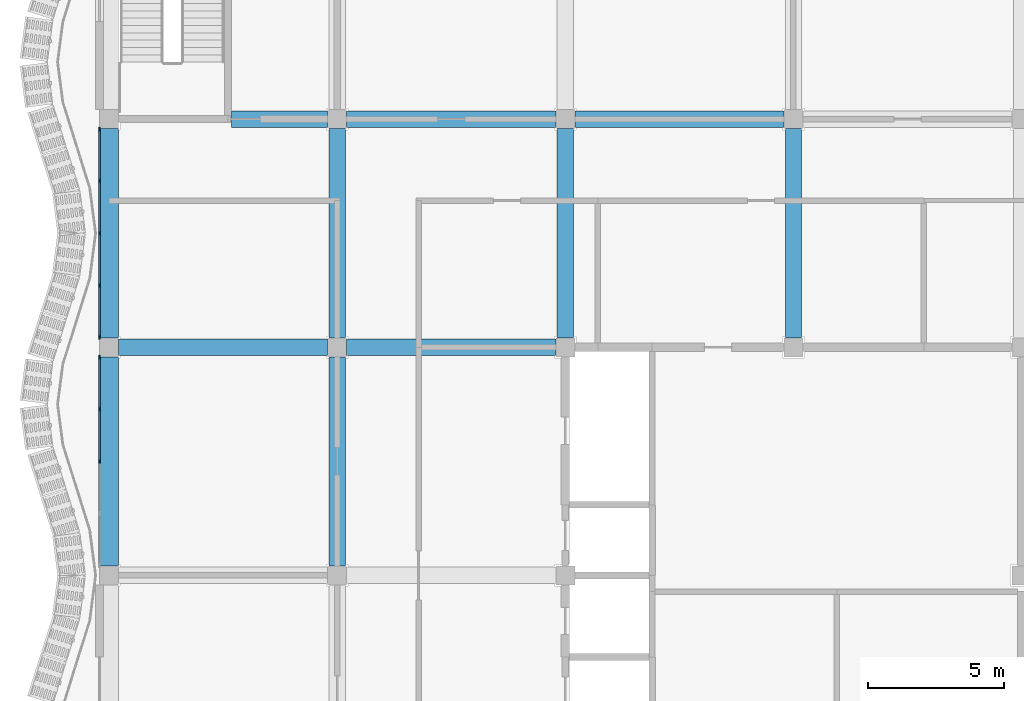
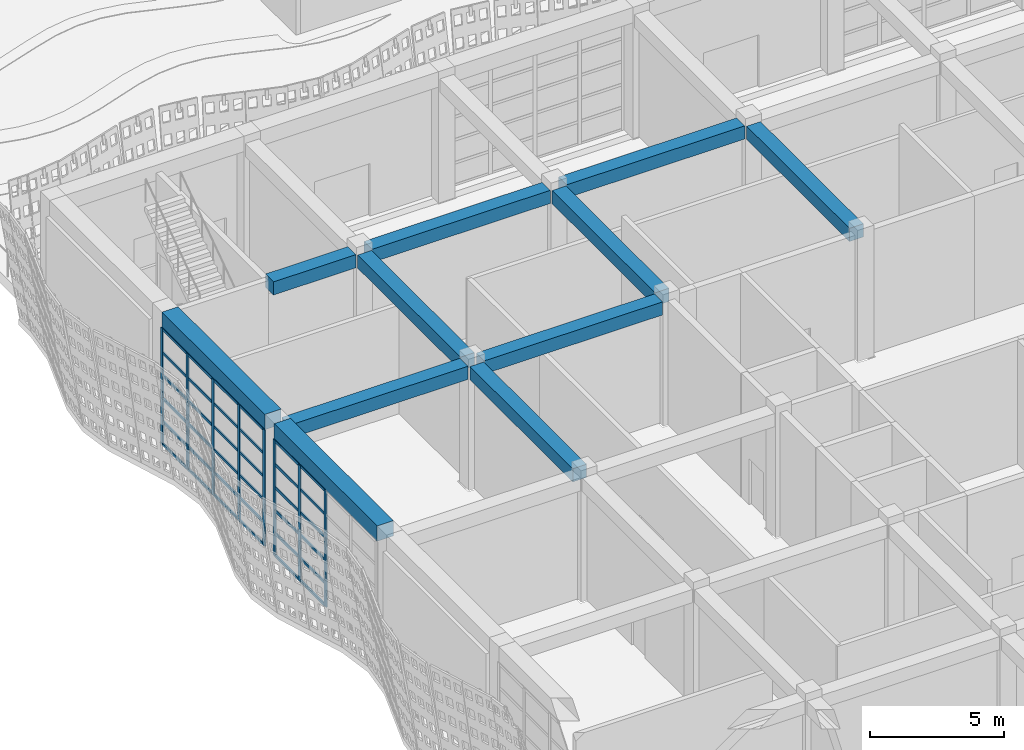
# One storey, part 25 of 210: 44 members, 11 beams, 2 elements without a shape of their own.
"""IFC4 building model written with IfcOpenShell, lengths in metres."""

from ifc_helpers import new_model, si_unit, direction, frame, origin, origin_2d, place, context, subcontext, project, spatial, rectangle, extrude, material, material_profile, profile_set, type_object, element, aggregate, save


model = new_model("IFC4")

# Units and contexts
model_context = context("Model", 3, precision=1e-05, world=origin(), true_north=direction((0.0, 1.0)))
body_context = subcontext(model_context, "Body", "Model", "MODEL_VIEW")
ifc_project = project(units=[si_unit("LENGTHUNIT", "METRE"), si_unit("AREAUNIT", "SQUARE_METRE"), si_unit("VOLUMEUNIT", "CUBIC_METRE"), si_unit("PLANEANGLEUNIT", "RADIAN"), si_unit("MASSUNIT", "GRAM", prefix="KILO")], contexts=[model_context])

# Site, building, storey
site_placement = place(None, origin())
site = spatial("IfcSite", under=ifc_project, at=site_placement, CompositionType="ELEMENT")
building_placement = place(site_placement, origin())
building = spatial("IfcBuilding", under=site, at=building_placement, Name="Rain Tree Exposition and Congress Centre", CompositionType="ELEMENT")
storey_placement = place(building_placement, origin())
storey = spatial("IfcBuildingStorey", under=building, at=storey_placement, Name="L00", CompositionType="ELEMENT", Elevation=0.0)

# Beams
ifc_material_1 = material(Name="Precast concrete C50/60", Category="concrete")
ifc_material_profile_1 = material_profile(ifc_material_1, rectangle(XDim=0.60009765625, YDim=0.60009765625, at=origin_2d()), Name="RC 600x600")
ifc_profile_set_1 = profile_set([ifc_material_profile_1], Name="Precast concrete C50/60")
beam_type_1 = type_object("IfcBeamType", Name="Precast beam 600x600", PredefinedType="BEAM", material=ifc_profile_set_1)
for number, where, z_axis, x_axis, name in (
    (1, (8.39990234375, 25.550048828125, 5.35009765625), (0.0, 1.0, 0.0), (-1.0, 0.0, 0.0), "wing/beam/L00/L01/020"),
    (2, (8.39990234375, 33.949951171875, 5.35009765625), (0.0, 1.0, 0.0), (-1.0, 0.0, 0.0), "wing/beam/L00/L01/022"),
    (3, (16.800048828125, 33.949951171875, 5.35009765625), (0.0, 1.0, 0.0), (-1.0, 0.0, 0.0), "wing/beam/L00/L01/030"),
    (4, (25.199951171875, 33.949951171875, 5.35009765625), (0.0, 1.0, 0.0), (-1.0, 0.0, 0.0), "wing/beam/L00/L01/038"),
    (5, (0.35009765625, 33.60009765625, 5.35009765625), (1.0, 0.0, 0.0), (0.0, 1.0, 0.0), "wing/beam/L00/L01/041"),
    (6, (8.75, 33.60009765625, 5.35009765625), (1.0, 0.0, 0.0), (0.0, 1.0, 0.0), "wing/beam/L00/L01/043"),
):
    element("IfcBeam", number, at=place(storey_placement, frame(where, z_axis=z_axis, x_axis=x_axis)), inside=storey, type_object=beam_type_1, Name=name, PredefinedType="BEAM", context=body_context, shape_type="SweptSolid", body=[
        extrude(rectangle(XDim=0.60009765625, YDim=0.60009765625, at=origin_2d()), origin(), (0.0, 0.0, 1.0), 7.699951171875),
    ])
beam_1_placement = place(storey_placement, frame((4.5, 42.0, 5.35009765625), z_axis=(1.0, 0.0, 0.0), x_axis=(0.0, 1.0, 0.0)))
element("IfcBeam", 7, at=beam_1_placement, inside=storey, type_object=beam_type_1, Name="wing/beam/L00/L01/049", PredefinedType="BEAM", context=body_context, shape_type="SweptSolid", body=[
    extrude(rectangle(XDim=0.60009765625, YDim=0.60009765625, at=origin_2d()), origin(), (0.0, 0.0, 1.0), 3.550048828125),
])
beam_2_placement = place(storey_placement, frame((8.75, 42.0, 5.35009765625), z_axis=(1.0, 0.0, 0.0), x_axis=(0.0, 1.0, 0.0)))
element("IfcBeam", 8, at=beam_2_placement, inside=storey, type_object=beam_type_1, Name="wing/beam/L00/L01/051", PredefinedType="BEAM", context=body_context, shape_type="SweptSolid", body=[
    extrude(rectangle(XDim=0.60009765625, YDim=0.60009765625, at=origin_2d()), origin(), (0.0, 0.0, 1.0), 7.699951171875),
])
beam_3_placement = place(storey_placement, frame((17.14990234375, 42.0, 5.35009765625), z_axis=(1.0, 0.0, 0.0), x_axis=(0.0, 1.0, 0.0)))
element("IfcBeam", 9, at=beam_3_placement, inside=storey, type_object=beam_type_1, Name="wing/beam/L00/L01/053", PredefinedType="BEAM", context=body_context, shape_type="SweptSolid", body=[
    extrude(rectangle(XDim=0.60009765625, YDim=0.60009765625, at=origin_2d()), origin(), (0.0, 0.0, 1.0), 7.7001953125),
])
ifc_material_2 = material(Name="Precast concrete C50/60", Category="concrete")
ifc_material_profile_2 = material_profile(ifc_material_2, rectangle(XDim=0.699951171875, YDim=0.699951171875, at=origin_2d()), Name="RC 700x700")
ifc_profile_set_2 = profile_set([ifc_material_profile_2], Name="Precast concrete C50/60")
beam_type_2 = type_object("IfcBeamType", Name="Precast spandrel beam 700x700", PredefinedType="SPANDREL", material=ifc_profile_set_2)
for number, where, z_axis, x_axis, name in (
    (10, (0.0, 25.550048828125, 5.64990234375), (0.0, 1.0, 0.0), (-1.0, 0.0, 0.0), "wing/beam/L00/L01/008"),
    (11, (0.0, 33.949951171875, 5.64990234375), (0.0, 1.0, 0.0), (-1.0, 0.0, 0.0), "wing/beam/L00/L01/010"),
):
    element("IfcBeam", number, at=place(storey_placement, frame(where, z_axis=z_axis, x_axis=x_axis)), inside=storey, type_object=beam_type_2, Name=name, PredefinedType="SPANDREL", context=body_context, shape_type="SweptSolid", body=[
        extrude(rectangle(XDim=0.699951171875, YDim=0.699951171875, at=origin_2d()), origin(), (0.0, 0.0, 1.0), 7.699951171875),
    ])

# Curtain wall, members
ifc_material_3 = material(Name="Aluminium curtain wall", Category="aluminium")
curtain_wall_type = type_object("IfcCurtainWallType", Name="Wing curtain wall 1925", PredefinedType="NOTDEFINED", material=ifc_material_3)
curtain_wall_1_placement = place(storey_placement, origin())
curtain_wall_1 = element("IfcCurtainWall", 12, at=curtain_wall_1_placement, inside=storey, type_object=curtain_wall_type, Name="Curtain wall CWW107", PredefinedType="NOTDEFINED")
ifc_material_4 = material(Name="Aluminium", Category="aluminium")
ifc_material_profile_3 = material_profile(ifc_material_4, rectangle(XDim=0.06005859375, YDim=0.159912109375, at=origin_2d()), Name="Aluminium 60x160")
ifc_profile_set_3 = profile_set([ifc_material_profile_3], Name="Aluminium")
member_type_1 = type_object("IfcMemberType", Name="Wing mullion 60x160", PredefinedType="MULLION", material=ifc_profile_set_3)
member_1_placement = place(storey_placement, frame((-0.35009765625, 29.39990234375, 0.0), z_axis=(0.0, 0.0, 1.0), x_axis=(-1.0, 0.0, 0.0)))
member_1 = element("IfcMember", 13, at=member_1_placement, type_object=member_type_1, Name="CWW107 mullion 3", PredefinedType="MULLION", context=body_context, shape_type="SweptSolid", body=[
    extrude(rectangle(XDim=0.06005859375, YDim=0.159912109375, at=origin_2d()), origin(), (0.0, 0.0, 1.0), 5.300048828125),
])
member_2_placement = place(storey_placement, frame((-0.35009765625, 31.324951171875, 0.0), z_axis=(0.0, 0.0, 1.0), x_axis=(-1.0, 0.0, 0.0)))
member_2 = element("IfcMember", 14, at=member_2_placement, type_object=member_type_1, Name="CWW107 mullion 4", PredefinedType="MULLION", context=body_context, shape_type="SweptSolid", body=[
    extrude(rectangle(XDim=0.06005859375, YDim=0.159912109375, at=origin_2d()), origin(), (0.0, 0.0, 1.0), 5.300048828125),
])
member_3_placement = place(storey_placement, frame((-0.35009765625, 33.219970703125, 0.0), z_axis=(0.0, 0.0, 1.0), x_axis=(-1.0, 0.0, 0.0)))
member_3 = element("IfcMember", 15, at=member_3_placement, type_object=member_type_1, Name="CWW107 mullion 5", PredefinedType="MULLION", context=body_context, shape_type="SweptSolid", body=[
    extrude(rectangle(XDim=0.06005859375, YDim=0.159912109375, at=origin_2d()), origin(), (0.0, 0.0, 1.0), 5.300048828125),
])

curtain_wall_2_placement = place(storey_placement, origin())
curtain_wall_2 = element("IfcCurtainWall", 16, at=curtain_wall_2_placement, inside=storey, type_object=curtain_wall_type, Name="Curtain wall CWW108", PredefinedType="NOTDEFINED")
member_4_placement = place(storey_placement, frame((-0.35009765625, 33.97998046875, 0.0), z_axis=(0.0, 0.0, 1.0), x_axis=(-1.0, 0.0, 0.0)))
member_4 = element("IfcMember", 17, at=member_4_placement, type_object=member_type_1, Name="CWW108 mullion 1", PredefinedType="MULLION", context=body_context, shape_type="SweptSolid", body=[
    extrude(rectangle(XDim=0.06005859375, YDim=0.159912109375, at=origin_2d()), origin(), (0.0, 0.0, 1.0), 5.300048828125),
])
member_5_placement = place(storey_placement, frame((-0.35009765625, 35.875, 0.0), z_axis=(0.0, 0.0, 1.0), x_axis=(-1.0, 0.0, 0.0)))
member_5 = element("IfcMember", 18, at=member_5_placement, type_object=member_type_1, Name="CWW108 mullion 2", PredefinedType="MULLION", context=body_context, shape_type="SweptSolid", body=[
    extrude(rectangle(XDim=0.06005859375, YDim=0.159912109375, at=origin_2d()), origin(), (0.0, 0.0, 1.0), 5.300048828125),
])
member_6_placement = place(storey_placement, frame((-0.35009765625, 37.800048828125, 0.0), z_axis=(0.0, 0.0, 1.0), x_axis=(-1.0, 0.0, 0.0)))
member_6 = element("IfcMember", 19, at=member_6_placement, type_object=member_type_1, Name="CWW108 mullion 3", PredefinedType="MULLION", context=body_context, shape_type="SweptSolid", body=[
    extrude(rectangle(XDim=0.06005859375, YDim=0.159912109375, at=origin_2d()), origin(), (0.0, 0.0, 1.0), 5.300048828125),
])
member_7_placement = place(storey_placement, frame((-0.35009765625, 39.72509765625, 0.0), z_axis=(0.0, 0.0, 1.0), x_axis=(-1.0, 0.0, 0.0)))
member_7 = element("IfcMember", 20, at=member_7_placement, type_object=member_type_1, Name="CWW108 mullion 4", PredefinedType="MULLION", context=body_context, shape_type="SweptSolid", body=[
    extrude(rectangle(XDim=0.06005859375, YDim=0.159912109375, at=origin_2d()), origin(), (0.0, 0.0, 1.0), 5.300048828125),
])
member_8_placement = place(storey_placement, frame((-0.35009765625, 41.6201171875, 0.0), z_axis=(0.0, 0.0, 1.0), x_axis=(-1.0, 0.0, 0.0)))
member_8 = element("IfcMember", 21, at=member_8_placement, type_object=member_type_1, Name="CWW108 mullion 5", PredefinedType="MULLION", context=body_context, shape_type="SweptSolid", body=[
    extrude(rectangle(XDim=0.06005859375, YDim=0.159912109375, at=origin_2d()), origin(), (0.0, 0.0, 1.0), 5.300048828125),
])

# Member
ifc_material_5 = material(Name="Aluminium", Category="aluminium")
ifc_material_profile_4 = material_profile(ifc_material_5, rectangle(XDim=0.06005859375, YDim=0.1201171875, at=origin_2d()), Name="Aluminium 60x120")
ifc_profile_set_4 = profile_set([ifc_material_profile_4], Name="Aluminium")
member_type_2 = type_object("IfcMemberType", Name="Wing transom 60x120", PredefinedType="USERDEFINED", material=ifc_profile_set_4)
member_9_placement = place(storey_placement, frame((-0.35009765625, 29.429931640625, 0.030029296875), z_axis=(0.0, 1.0, 0.0), x_axis=(-1.0, 0.0, 0.0)))
member_9 = element("IfcMember", 22, at=member_9_placement, type_object=member_type_2, Name="CWW107 transom 3.1", ObjectType="TRANSOM", PredefinedType="USERDEFINED", context=body_context, shape_type="SweptSolid", body=[
    extrude(rectangle(XDim=0.06005859375, YDim=0.1201171875, at=origin_2d()), origin(), (0.0, 0.0, 1.0), 1.864990234375),
])

member_10_placement = place(storey_placement, frame((-0.35009765625, 29.429931640625, 1.050048828125), z_axis=(0.0, 1.0, 0.0), x_axis=(-1.0, 0.0, 0.0)))
member_10 = element("IfcMember", 23, at=member_10_placement, type_object=member_type_2, Name="CWW107 transom 3.2", ObjectType="TRANSOM", PredefinedType="USERDEFINED", context=body_context, shape_type="SweptSolid", body=[
    extrude(rectangle(XDim=0.06005859375, YDim=0.1201171875, at=origin_2d()), origin(), (0.0, 0.0, 1.0), 1.864990234375),
])

member_11_placement = place(storey_placement, frame((-0.35009765625, 29.429931640625, 2.10009765625), z_axis=(0.0, 1.0, 0.0), x_axis=(-1.0, 0.0, 0.0)))
member_11 = element("IfcMember", 24, at=member_11_placement, type_object=member_type_2, Name="CWW107 transom 3.3", ObjectType="TRANSOM", PredefinedType="USERDEFINED", context=body_context, shape_type="SweptSolid", body=[
    extrude(rectangle(XDim=0.06005859375, YDim=0.1201171875, at=origin_2d()), origin(), (0.0, 0.0, 1.0), 1.864990234375),
])

member_12_placement = place(storey_placement, frame((-0.35009765625, 29.429931640625, 3.14990234375), z_axis=(0.0, 1.0, 0.0), x_axis=(-1.0, 0.0, 0.0)))
member_12 = element("IfcMember", 25, at=member_12_placement, type_object=member_type_2, Name="CWW107 transom 3.4", ObjectType="TRANSOM", PredefinedType="USERDEFINED", context=body_context, shape_type="SweptSolid", body=[
    extrude(rectangle(XDim=0.06005859375, YDim=0.1201171875, at=origin_2d()), origin(), (0.0, 0.0, 1.0), 1.864990234375),
])

member_13_placement = place(storey_placement, frame((-0.35009765625, 29.429931640625, 4.199951171875), z_axis=(0.0, 1.0, 0.0), x_axis=(-1.0, 0.0, 0.0)))
member_13 = element("IfcMember", 26, at=member_13_placement, type_object=member_type_2, Name="CWW107 transom 3.5", ObjectType="TRANSOM", PredefinedType="USERDEFINED", context=body_context, shape_type="SweptSolid", body=[
    extrude(rectangle(XDim=0.06005859375, YDim=0.1201171875, at=origin_2d()), origin(), (0.0, 0.0, 1.0), 1.864990234375),
])

member_14_placement = place(storey_placement, frame((-0.35009765625, 29.429931640625, 5.27001953125), z_axis=(0.0, 1.0, 0.0), x_axis=(-1.0, 0.0, 0.0)))
member_14 = element("IfcMember", 27, at=member_14_placement, type_object=member_type_2, Name="CWW107 transom 3.6", ObjectType="TRANSOM", PredefinedType="USERDEFINED", context=body_context, shape_type="SweptSolid", body=[
    extrude(rectangle(XDim=0.06005859375, YDim=0.1201171875, at=origin_2d()), origin(), (0.0, 0.0, 1.0), 1.864990234375),
])

member_15_placement = place(storey_placement, frame((-0.35009765625, 31.35498046875, 0.030029296875), z_axis=(0.0, 1.0, 0.0), x_axis=(-1.0, 0.0, 0.0)))
member_15 = element("IfcMember", 28, at=member_15_placement, type_object=member_type_2, Name="CWW107 transom 4.1", ObjectType="TRANSOM", PredefinedType="USERDEFINED", context=body_context, shape_type="SweptSolid", body=[
    extrude(rectangle(XDim=0.06005859375, YDim=0.1201171875, at=origin_2d()), origin(), (0.0, 0.0, 1.0), 1.8349609375),
])

member_16_placement = place(storey_placement, frame((-0.35009765625, 31.35498046875, 1.050048828125), z_axis=(0.0, 1.0, 0.0), x_axis=(-1.0, 0.0, 0.0)))
member_16 = element("IfcMember", 29, at=member_16_placement, type_object=member_type_2, Name="CWW107 transom 4.2", ObjectType="TRANSOM", PredefinedType="USERDEFINED", context=body_context, shape_type="SweptSolid", body=[
    extrude(rectangle(XDim=0.06005859375, YDim=0.1201171875, at=origin_2d()), origin(), (0.0, 0.0, 1.0), 1.8349609375),
])

member_17_placement = place(storey_placement, frame((-0.35009765625, 31.35498046875, 2.10009765625), z_axis=(0.0, 1.0, 0.0), x_axis=(-1.0, 0.0, 0.0)))
member_17 = element("IfcMember", 30, at=member_17_placement, type_object=member_type_2, Name="CWW107 transom 4.3", ObjectType="TRANSOM", PredefinedType="USERDEFINED", context=body_context, shape_type="SweptSolid", body=[
    extrude(rectangle(XDim=0.06005859375, YDim=0.1201171875, at=origin_2d()), origin(), (0.0, 0.0, 1.0), 1.8349609375),
])

member_18_placement = place(storey_placement, frame((-0.35009765625, 31.35498046875, 3.14990234375), z_axis=(0.0, 1.0, 0.0), x_axis=(-1.0, 0.0, 0.0)))
member_18 = element("IfcMember", 31, at=member_18_placement, type_object=member_type_2, Name="CWW107 transom 4.4", ObjectType="TRANSOM", PredefinedType="USERDEFINED", context=body_context, shape_type="SweptSolid", body=[
    extrude(rectangle(XDim=0.06005859375, YDim=0.1201171875, at=origin_2d()), origin(), (0.0, 0.0, 1.0), 1.8349609375),
])

member_19_placement = place(storey_placement, frame((-0.35009765625, 31.35498046875, 4.199951171875), z_axis=(0.0, 1.0, 0.0), x_axis=(-1.0, 0.0, 0.0)))
member_19 = element("IfcMember", 32, at=member_19_placement, type_object=member_type_2, Name="CWW107 transom 4.5", ObjectType="TRANSOM", PredefinedType="USERDEFINED", context=body_context, shape_type="SweptSolid", body=[
    extrude(rectangle(XDim=0.06005859375, YDim=0.1201171875, at=origin_2d()), origin(), (0.0, 0.0, 1.0), 1.8349609375),
])

member_20_placement = place(storey_placement, frame((-0.35009765625, 31.35498046875, 5.27001953125), z_axis=(0.0, 1.0, 0.0), x_axis=(-1.0, 0.0, 0.0)))
member_20 = element("IfcMember", 33, at=member_20_placement, type_object=member_type_2, Name="CWW107 transom 4.6", ObjectType="TRANSOM", PredefinedType="USERDEFINED", context=body_context, shape_type="SweptSolid", body=[
    extrude(rectangle(XDim=0.06005859375, YDim=0.1201171875, at=origin_2d()), origin(), (0.0, 0.0, 1.0), 1.8349609375),
])

aggregate(curtain_wall_1, [member_1, member_2, member_3, member_9, member_10, member_11, member_12, member_13, member_14, member_15, member_16, member_17, member_18, member_19, member_20])

member_21_placement = place(storey_placement, frame((-0.35009765625, 34.010009765625, 0.030029296875), z_axis=(0.0, 1.0, 0.0), x_axis=(-1.0, 0.0, 0.0)))
member_21 = element("IfcMember", 34, at=member_21_placement, type_object=member_type_2, Name="CWW108 transom 1.1", ObjectType="TRANSOM", PredefinedType="USERDEFINED", context=body_context, shape_type="SweptSolid", body=[
    extrude(rectangle(XDim=0.06005859375, YDim=0.1201171875, at=origin_2d()), origin(), (0.0, 0.0, 1.0), 1.8349609375),
])

member_22_placement = place(storey_placement, frame((-0.35009765625, 34.010009765625, 1.050048828125), z_axis=(0.0, 1.0, 0.0), x_axis=(-1.0, 0.0, 0.0)))
member_22 = element("IfcMember", 35, at=member_22_placement, type_object=member_type_2, Name="CWW108 transom 1.2", ObjectType="TRANSOM", PredefinedType="USERDEFINED", context=body_context, shape_type="SweptSolid", body=[
    extrude(rectangle(XDim=0.06005859375, YDim=0.1201171875, at=origin_2d()), origin(), (0.0, 0.0, 1.0), 1.8349609375),
])

member_23_placement = place(storey_placement, frame((-0.35009765625, 34.010009765625, 2.10009765625), z_axis=(0.0, 1.0, 0.0), x_axis=(-1.0, 0.0, 0.0)))
member_23 = element("IfcMember", 36, at=member_23_placement, type_object=member_type_2, Name="CWW108 transom 1.3", ObjectType="TRANSOM", PredefinedType="USERDEFINED", context=body_context, shape_type="SweptSolid", body=[
    extrude(rectangle(XDim=0.06005859375, YDim=0.1201171875, at=origin_2d()), origin(), (0.0, 0.0, 1.0), 1.8349609375),
])

member_24_placement = place(storey_placement, frame((-0.35009765625, 34.010009765625, 3.14990234375), z_axis=(0.0, 1.0, 0.0), x_axis=(-1.0, 0.0, 0.0)))
member_24 = element("IfcMember", 37, at=member_24_placement, type_object=member_type_2, Name="CWW108 transom 1.4", ObjectType="TRANSOM", PredefinedType="USERDEFINED", context=body_context, shape_type="SweptSolid", body=[
    extrude(rectangle(XDim=0.06005859375, YDim=0.1201171875, at=origin_2d()), origin(), (0.0, 0.0, 1.0), 1.8349609375),
])

member_25_placement = place(storey_placement, frame((-0.35009765625, 34.010009765625, 4.199951171875), z_axis=(0.0, 1.0, 0.0), x_axis=(-1.0, 0.0, 0.0)))
member_25 = element("IfcMember", 38, at=member_25_placement, type_object=member_type_2, Name="CWW108 transom 1.5", ObjectType="TRANSOM", PredefinedType="USERDEFINED", context=body_context, shape_type="SweptSolid", body=[
    extrude(rectangle(XDim=0.06005859375, YDim=0.1201171875, at=origin_2d()), origin(), (0.0, 0.0, 1.0), 1.8349609375),
])

member_26_placement = place(storey_placement, frame((-0.35009765625, 34.010009765625, 5.27001953125), z_axis=(0.0, 1.0, 0.0), x_axis=(-1.0, 0.0, 0.0)))
member_26 = element("IfcMember", 39, at=member_26_placement, type_object=member_type_2, Name="CWW108 transom 1.6", ObjectType="TRANSOM", PredefinedType="USERDEFINED", context=body_context, shape_type="SweptSolid", body=[
    extrude(rectangle(XDim=0.06005859375, YDim=0.1201171875, at=origin_2d()), origin(), (0.0, 0.0, 1.0), 1.8349609375),
])

member_27_placement = place(storey_placement, frame((-0.35009765625, 35.905029296875, 0.030029296875), z_axis=(0.0, 1.0, 0.0), x_axis=(-1.0, 0.0, 0.0)))
member_27 = element("IfcMember", 40, at=member_27_placement, type_object=member_type_2, Name="CWW108 transom 2.1", ObjectType="TRANSOM", PredefinedType="USERDEFINED", context=body_context, shape_type="SweptSolid", body=[
    extrude(rectangle(XDim=0.06005859375, YDim=0.1201171875, at=origin_2d()), origin(), (0.0, 0.0, 1.0), 1.864990234375),
])

member_28_placement = place(storey_placement, frame((-0.35009765625, 35.905029296875, 1.050048828125), z_axis=(0.0, 1.0, 0.0), x_axis=(-1.0, 0.0, 0.0)))
member_28 = element("IfcMember", 41, at=member_28_placement, type_object=member_type_2, Name="CWW108 transom 2.2", ObjectType="TRANSOM", PredefinedType="USERDEFINED", context=body_context, shape_type="SweptSolid", body=[
    extrude(rectangle(XDim=0.06005859375, YDim=0.1201171875, at=origin_2d()), origin(), (0.0, 0.0, 1.0), 1.864990234375),
])

member_29_placement = place(storey_placement, frame((-0.35009765625, 35.905029296875, 2.10009765625), z_axis=(0.0, 1.0, 0.0), x_axis=(-1.0, 0.0, 0.0)))
member_29 = element("IfcMember", 42, at=member_29_placement, type_object=member_type_2, Name="CWW108 transom 2.3", ObjectType="TRANSOM", PredefinedType="USERDEFINED", context=body_context, shape_type="SweptSolid", body=[
    extrude(rectangle(XDim=0.06005859375, YDim=0.1201171875, at=origin_2d()), origin(), (0.0, 0.0, 1.0), 1.864990234375),
])

member_30_placement = place(storey_placement, frame((-0.35009765625, 35.905029296875, 3.14990234375), z_axis=(0.0, 1.0, 0.0), x_axis=(-1.0, 0.0, 0.0)))
member_30 = element("IfcMember", 43, at=member_30_placement, type_object=member_type_2, Name="CWW108 transom 2.4", ObjectType="TRANSOM", PredefinedType="USERDEFINED", context=body_context, shape_type="SweptSolid", body=[
    extrude(rectangle(XDim=0.06005859375, YDim=0.1201171875, at=origin_2d()), origin(), (0.0, 0.0, 1.0), 1.864990234375),
])

member_31_placement = place(storey_placement, frame((-0.35009765625, 35.905029296875, 4.199951171875), z_axis=(0.0, 1.0, 0.0), x_axis=(-1.0, 0.0, 0.0)))
member_31 = element("IfcMember", 44, at=member_31_placement, type_object=member_type_2, Name="CWW108 transom 2.5", ObjectType="TRANSOM", PredefinedType="USERDEFINED", context=body_context, shape_type="SweptSolid", body=[
    extrude(rectangle(XDim=0.06005859375, YDim=0.1201171875, at=origin_2d()), origin(), (0.0, 0.0, 1.0), 1.864990234375),
])

member_32_placement = place(storey_placement, frame((-0.35009765625, 35.905029296875, 5.27001953125), z_axis=(0.0, 1.0, 0.0), x_axis=(-1.0, 0.0, 0.0)))
member_32 = element("IfcMember", 45, at=member_32_placement, type_object=member_type_2, Name="CWW108 transom 2.6", ObjectType="TRANSOM", PredefinedType="USERDEFINED", context=body_context, shape_type="SweptSolid", body=[
    extrude(rectangle(XDim=0.06005859375, YDim=0.1201171875, at=origin_2d()), origin(), (0.0, 0.0, 1.0), 1.864990234375),
])

member_33_placement = place(storey_placement, frame((-0.35009765625, 37.830078125, 0.030029296875), z_axis=(0.0, 1.0, 0.0), x_axis=(-1.0, 0.0, 0.0)))
member_33 = element("IfcMember", 46, at=member_33_placement, type_object=member_type_2, Name="CWW108 transom 3.1", ObjectType="TRANSOM", PredefinedType="USERDEFINED", context=body_context, shape_type="SweptSolid", body=[
    extrude(rectangle(XDim=0.06005859375, YDim=0.1201171875, at=origin_2d()), origin(), (0.0, 0.0, 1.0), 1.864990234375),
])

member_34_placement = place(storey_placement, frame((-0.35009765625, 37.830078125, 1.050048828125), z_axis=(0.0, 1.0, 0.0), x_axis=(-1.0, 0.0, 0.0)))
member_34 = element("IfcMember", 47, at=member_34_placement, type_object=member_type_2, Name="CWW108 transom 3.2", ObjectType="TRANSOM", PredefinedType="USERDEFINED", context=body_context, shape_type="SweptSolid", body=[
    extrude(rectangle(XDim=0.06005859375, YDim=0.1201171875, at=origin_2d()), origin(), (0.0, 0.0, 1.0), 1.864990234375),
])

member_35_placement = place(storey_placement, frame((-0.35009765625, 37.830078125, 2.10009765625), z_axis=(0.0, 1.0, 0.0), x_axis=(-1.0, 0.0, 0.0)))
member_35 = element("IfcMember", 48, at=member_35_placement, type_object=member_type_2, Name="CWW108 transom 3.3", ObjectType="TRANSOM", PredefinedType="USERDEFINED", context=body_context, shape_type="SweptSolid", body=[
    extrude(rectangle(XDim=0.06005859375, YDim=0.1201171875, at=origin_2d()), origin(), (0.0, 0.0, 1.0), 1.864990234375),
])

member_36_placement = place(storey_placement, frame((-0.35009765625, 37.830078125, 3.14990234375), z_axis=(0.0, 1.0, 0.0), x_axis=(-1.0, 0.0, 0.0)))
member_36 = element("IfcMember", 49, at=member_36_placement, type_object=member_type_2, Name="CWW108 transom 3.4", ObjectType="TRANSOM", PredefinedType="USERDEFINED", context=body_context, shape_type="SweptSolid", body=[
    extrude(rectangle(XDim=0.06005859375, YDim=0.1201171875, at=origin_2d()), origin(), (0.0, 0.0, 1.0), 1.864990234375),
])

member_37_placement = place(storey_placement, frame((-0.35009765625, 37.830078125, 4.199951171875), z_axis=(0.0, 1.0, 0.0), x_axis=(-1.0, 0.0, 0.0)))
member_37 = element("IfcMember", 50, at=member_37_placement, type_object=member_type_2, Name="CWW108 transom 3.5", ObjectType="TRANSOM", PredefinedType="USERDEFINED", context=body_context, shape_type="SweptSolid", body=[
    extrude(rectangle(XDim=0.06005859375, YDim=0.1201171875, at=origin_2d()), origin(), (0.0, 0.0, 1.0), 1.864990234375),
])

member_38_placement = place(storey_placement, frame((-0.35009765625, 37.830078125, 5.27001953125), z_axis=(0.0, 1.0, 0.0), x_axis=(-1.0, 0.0, 0.0)))
member_38 = element("IfcMember", 51, at=member_38_placement, type_object=member_type_2, Name="CWW108 transom 3.6", ObjectType="TRANSOM", PredefinedType="USERDEFINED", context=body_context, shape_type="SweptSolid", body=[
    extrude(rectangle(XDim=0.06005859375, YDim=0.1201171875, at=origin_2d()), origin(), (0.0, 0.0, 1.0), 1.864990234375),
])

member_39_placement = place(storey_placement, frame((-0.35009765625, 39.7548828125, 0.030029296875), z_axis=(0.0, 1.0, 0.0), x_axis=(-1.0, 0.0, 0.0)))
member_39 = element("IfcMember", 52, at=member_39_placement, type_object=member_type_2, Name="CWW108 transom 4.1", ObjectType="TRANSOM", PredefinedType="USERDEFINED", context=body_context, shape_type="SweptSolid", body=[
    extrude(rectangle(XDim=0.06005859375, YDim=0.1201171875, at=origin_2d()), origin(), (0.0, 0.0, 1.0), 1.835205078125),
])

member_40_placement = place(storey_placement, frame((-0.35009765625, 39.7548828125, 1.050048828125), z_axis=(0.0, 1.0, 0.0), x_axis=(-1.0, 0.0, 0.0)))
member_40 = element("IfcMember", 53, at=member_40_placement, type_object=member_type_2, Name="CWW108 transom 4.2", ObjectType="TRANSOM", PredefinedType="USERDEFINED", context=body_context, shape_type="SweptSolid", body=[
    extrude(rectangle(XDim=0.06005859375, YDim=0.1201171875, at=origin_2d()), origin(), (0.0, 0.0, 1.0), 1.835205078125),
])

member_41_placement = place(storey_placement, frame((-0.35009765625, 39.7548828125, 2.10009765625), z_axis=(0.0, 1.0, 0.0), x_axis=(-1.0, 0.0, 0.0)))
member_41 = element("IfcMember", 54, at=member_41_placement, type_object=member_type_2, Name="CWW108 transom 4.3", ObjectType="TRANSOM", PredefinedType="USERDEFINED", context=body_context, shape_type="SweptSolid", body=[
    extrude(rectangle(XDim=0.06005859375, YDim=0.1201171875, at=origin_2d()), origin(), (0.0, 0.0, 1.0), 1.835205078125),
])

member_42_placement = place(storey_placement, frame((-0.35009765625, 39.7548828125, 3.14990234375), z_axis=(0.0, 1.0, 0.0), x_axis=(-1.0, 0.0, 0.0)))
member_42 = element("IfcMember", 55, at=member_42_placement, type_object=member_type_2, Name="CWW108 transom 4.4", ObjectType="TRANSOM", PredefinedType="USERDEFINED", context=body_context, shape_type="SweptSolid", body=[
    extrude(rectangle(XDim=0.06005859375, YDim=0.1201171875, at=origin_2d()), origin(), (0.0, 0.0, 1.0), 1.835205078125),
])

member_43_placement = place(storey_placement, frame((-0.35009765625, 39.7548828125, 4.199951171875), z_axis=(0.0, 1.0, 0.0), x_axis=(-1.0, 0.0, 0.0)))
member_43 = element("IfcMember", 56, at=member_43_placement, type_object=member_type_2, Name="CWW108 transom 4.5", ObjectType="TRANSOM", PredefinedType="USERDEFINED", context=body_context, shape_type="SweptSolid", body=[
    extrude(rectangle(XDim=0.06005859375, YDim=0.1201171875, at=origin_2d()), origin(), (0.0, 0.0, 1.0), 1.835205078125),
])

member_44_placement = place(storey_placement, frame((-0.35009765625, 39.7548828125, 5.27001953125), z_axis=(0.0, 1.0, 0.0), x_axis=(-1.0, 0.0, 0.0)))
member_44 = element("IfcMember", 57, at=member_44_placement, type_object=member_type_2, Name="CWW108 transom 4.6", ObjectType="TRANSOM", PredefinedType="USERDEFINED", context=body_context, shape_type="SweptSolid", body=[
    extrude(rectangle(XDim=0.06005859375, YDim=0.1201171875, at=origin_2d()), origin(), (0.0, 0.0, 1.0), 1.835205078125),
])

aggregate(curtain_wall_2, [member_4, member_5, member_6, member_7, member_8, member_21, member_22, member_23, member_24, member_25, member_26, member_27, member_28, member_29, member_30, member_31, member_32, member_33, member_34, member_35, member_36, member_37, member_38, member_39, member_40, member_41, member_42, member_43, member_44])

save(model, "model.ifc")
